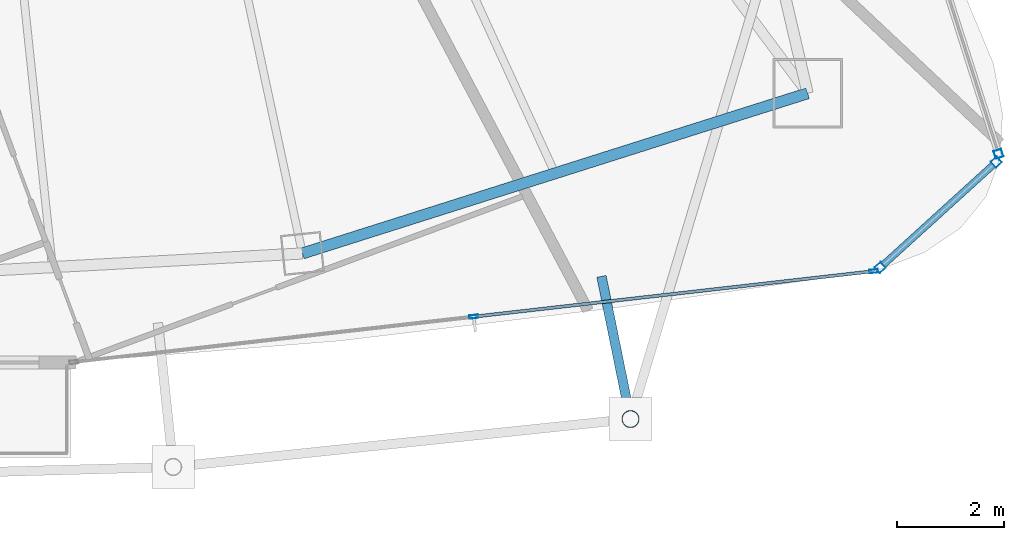
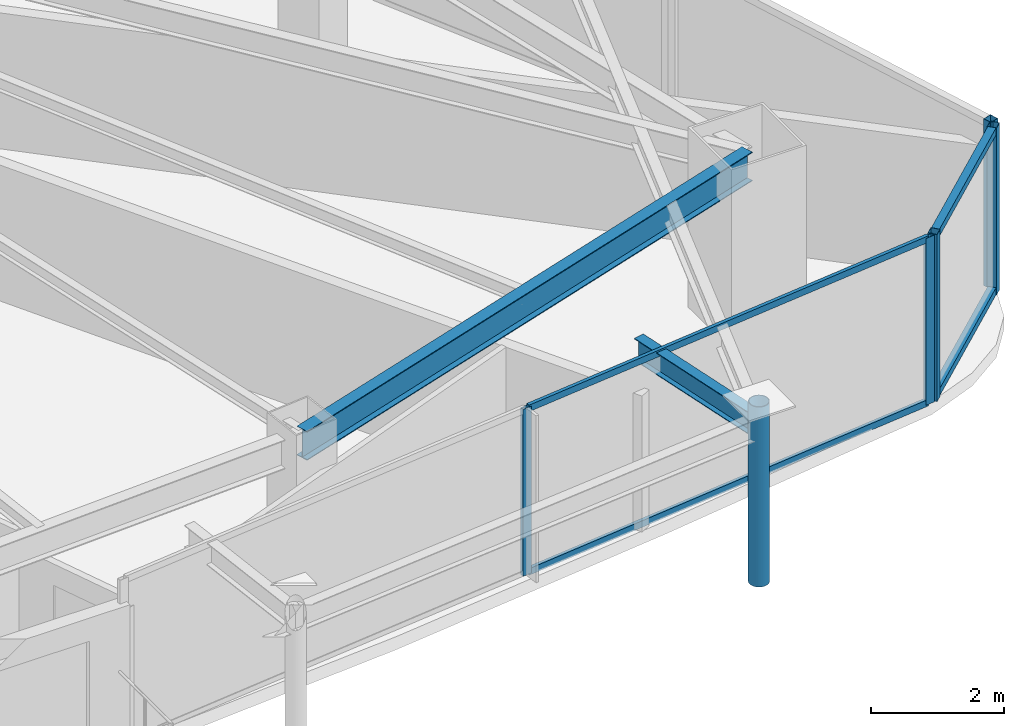
# One storey, part 14 of 29: 10 members, 2 beams, 3 elements without a shape of their own.
"""IFC4 building model written with IfcOpenShell, lengths in metres."""

from ifc_helpers import new_model, si_unit, direction, frame, origin, origin_2d, place, context, subcontext, project, spatial, hollow_rectangle, hollow_circle, i_section, extrude, material, layer, layer_set, material_profile, profile_set, type_object, element, aggregate, save


model = new_model("IFC4")

# Units and contexts
model_context = context("Model", 3, precision=1e-05, world=origin(), true_north=direction((0.0, 1.0)))
body_context = subcontext(model_context, "Body", "Model", "MODEL_VIEW")
ifc_project = project(units=[si_unit("LENGTHUNIT", "METRE"), si_unit("AREAUNIT", "SQUARE_METRE"), si_unit("VOLUMEUNIT", "CUBIC_METRE"), si_unit("PLANEANGLEUNIT", "RADIAN"), si_unit("MASSUNIT", "GRAM", prefix="KILO")], contexts=[model_context])

# Site, building, storey
site_placement = place(None, origin())
site = spatial("IfcSite", under=ifc_project, at=site_placement, CompositionType="ELEMENT")
building_placement = place(site_placement, origin())
building = spatial("IfcBuilding", under=site, at=building_placement, Name="Orvanel Arch Residences", CompositionType="ELEMENT")
storey_placement = place(building_placement, frame((0.0, 0.0, 246.949951171875)))
storey = spatial("IfcBuildingStorey", under=building, at=storey_placement, Name="L70", CompositionType="ELEMENT", Elevation=246.949951171875)

# Curtain wall, members
ifc_material_1 = material(Name="Bronze-anodised aluminium AA6063-T6", Category="aluminium")
ifc_layer_1 = layer(ifc_material_1, 0.18994140625)
ifc_layer_set_1 = layer_set([ifc_layer_1], Name="Bronze-anodised aluminium AA6063-T6")
curtain_wall_type_1 = type_object("IfcCurtainWallType", Name="CW5-CRN-SYS", PredefinedType="NOTDEFINED", material=ifc_layer_set_1)
curtain_wall_1_placement = place(storey_placement, origin())
curtain_wall_1 = element("IfcCurtainWall", 1, at=curtain_wall_1_placement, inside=storey, type_object=curtain_wall_type_1, Name="L70 CW5-CRN-SYS Unitised Curtain Wall", PredefinedType="NOTDEFINED")
ifc_material_profile_1 = material_profile(ifc_material_1, hollow_rectangle(XDim=0.14990234375, YDim=0.14990234375, WallThickness=0.0048828125, at=origin_2d()), Name="ALU150x150x5")
ifc_profile_set_1 = profile_set([ifc_material_profile_1], Name="Bronze-anodised aluminium AA6063-T6")
member_type_1 = type_object("IfcMemberType", Name="MUL-150x150", PredefinedType="MULLION", material=ifc_profile_set_1)
member_1_placement = place(storey_placement, frame((53.159423828125, 7.092529296875, 0.0), z_axis=(0.0, 0.0, 1.0), x_axis=(-0.672382005775, 0.740204322001, 0.0)))
member_1 = element("IfcMember", 2, at=member_1_placement, type_object=member_type_1, Name="CW-S5 mullion 1", PredefinedType="MULLION", context=body_context, shape_type="SweptSolid", body=[
    extrude(hollow_rectangle(XDim=0.14990234375, YDim=0.14990234375, WallThickness=0.0048828125, at=origin_2d()), origin(), (0.0, 0.0, 1.0), 3.06005859375),
])
member_2_placement = place(storey_placement, frame((55.32958984375, 9.0634765625, 0.0), z_axis=(0.0, 0.0, 1.0), x_axis=(-0.672382005775, 0.740204322001, 0.0)))
member_2 = element("IfcMember", 3, at=member_2_placement, type_object=member_type_1, Name="CW-S5 mullion 2", PredefinedType="MULLION", context=body_context, shape_type="SweptSolid", body=[
    extrude(hollow_rectangle(XDim=0.14990234375, YDim=0.14990234375, WallThickness=0.0048828125, at=origin_2d()), origin(), (0.0, 0.0, 1.0), 3.06005859375),
])

# Curtain wall, member
curtain_wall_2_placement = place(storey_placement, origin())
curtain_wall_2 = element("IfcCurtainWall", 4, at=curtain_wall_2_placement, inside=storey, type_object=curtain_wall_type_1, Name="L70 CW5-CRN-SYS Unitised Curtain Wall", PredefinedType="NOTDEFINED")
member_3_placement = place(storey_placement, frame((55.371337890625, 9.217529296875, 0.0), z_axis=(0.0, 0.0, 1.0), x_axis=(-0.952801726678, -0.303593263494, 0.0)))
member_3 = element("IfcMember", 5, at=member_3_placement, type_object=member_type_1, Name="CW-S5 mullion 1", PredefinedType="MULLION", context=body_context, shape_type="SweptSolid", body=[
    extrude(hollow_rectangle(XDim=0.14990234375, YDim=0.14990234375, WallThickness=0.0048828125, at=origin_2d()), origin(), (0.0, 0.0, 1.0), 3.06005859375),
])
aggregate(curtain_wall_2, [member_3])

# Curtain wall, members
ifc_layer_2 = layer(ifc_material_1, 0.175048828125)
ifc_layer_set_2 = layer_set([ifc_layer_2], Name="Bronze-anodised aluminium AA6063-T6")
curtain_wall_type_2 = type_object("IfcCurtainWallType", Name="CW4-HI-SYS", PredefinedType="NOTDEFINED", material=ifc_layer_set_2)
curtain_wall_3_placement = place(storey_placement, origin())
curtain_wall_3 = element("IfcCurtainWall", 6, at=curtain_wall_3_placement, inside=storey, type_object=curtain_wall_type_2, Name="L70 CW4-HI-SYS Unitised Curtain Wall", PredefinedType="NOTDEFINED")
ifc_material_profile_2 = material_profile(ifc_material_1, hollow_rectangle(XDim=0.06494140625, YDim=0.159912109375, WallThickness=0.00390625, at=origin_2d()), Name="ALU160x65x4")
ifc_profile_set_2 = profile_set([ifc_material_profile_2], Name="Bronze-anodised aluminium AA6063-T6")
member_type_2 = type_object("IfcMemberType", Name="MUL-160x65", PredefinedType="MULLION", material=ifc_profile_set_2)
member_4_placement = place(storey_placement, frame((45.555419921875, 6.172607421875, 0.0), z_axis=(0.0, 0.0, 1.0), x_axis=(-0.113000186209, 0.993594966733, 0.0)))
member_4 = element("IfcMember", 7, at=member_4_placement, type_object=member_type_2, Name="CW-S4 mullion 2", PredefinedType="MULLION", context=body_context, shape_type="SweptSolid", body=[
    extrude(hollow_rectangle(XDim=0.06494140625, YDim=0.159912109375, WallThickness=0.00390625, at=origin_2d()), origin(), (0.0, 0.0, 1.0), 3.06005859375),
])
member_5_placement = place(storey_placement, frame((53.03662109375, 7.0234375, 0.0), z_axis=(0.0, 0.0, 1.0), x_axis=(-0.113000186209, 0.993594966733, 0.0)))
member_5 = element("IfcMember", 8, at=member_5_placement, type_object=member_type_2, Name="CW-S4 mullion 3", PredefinedType="MULLION", context=body_context, shape_type="SweptSolid", body=[
    extrude(hollow_rectangle(XDim=0.06494140625, YDim=0.159912109375, WallThickness=0.00390625, at=origin_2d()), origin(), (0.0, 0.0, 1.0), 3.06005859375),
])

# Beams
ifc_material_2 = material(Name="Structural steel AS/NZS 3679.1 Grade 300 (300 MPa)", Category="steel")
ifc_material_profile_3 = material_profile(ifc_material_2, i_section(OverallWidth=0.177978515625, OverallDepth=0.406005859375, WebThickness=0.0078125, FlangeThickness=0.0126953125, at=origin_2d()), Name="410UB59.7")
ifc_profile_set_3 = profile_set([ifc_material_profile_3], Name="Structural steel AS/NZS 3679.1 Grade 300 (300 MPa)")
beam_type_1 = type_object("IfcBeamType", Name="OB-410UB-EXT", PredefinedType="SPANDREL", material=ifc_profile_set_3)
beam_1_placement = place(storey_placement, frame((47.945068359375, 6.927001953125, 2.85693359375), z_axis=(0.199355837583, -0.979927165672, 0.0), x_axis=(0.979927165672, 0.199355837583, 0.0)))
element("IfcBeam", 9, at=beam_1_placement, inside=storey, type_object=beam_type_1, Name="L70 Outer Frame Radial Tie Beam 08", PredefinedType="SPANDREL", context=body_context, shape_type="SweptSolid", body=[
    extrude(i_section(OverallWidth=0.177978515625, OverallDepth=0.406005859375, WebThickness=0.0078125, FlangeThickness=0.0126953125, at=origin_2d()), origin(), (0.0, 0.0, 1.0), 2.7236328125),
])
ifc_material_profile_4 = material_profile(ifc_material_2, i_section(OverallWidth=0.208984375, OverallDepth=0.532958984375, WebThickness=0.01025390625, FlangeThickness=0.015625, at=origin_2d()), Name="530UB92.4")
ifc_profile_set_4 = profile_set([ifc_material_profile_4], Name="Structural steel AS/NZS 3679.1 Grade 300 (300 MPa)")
beam_type_2 = type_object("IfcBeamType", Name="SP-530UB", PredefinedType="SPANDREL", material=ifc_profile_set_4)
beam_2_placement = place(storey_placement, frame((42.35107421875, 7.35498046875, 2.79296875), z_axis=(0.953237386592, 0.302222574941, 0.0), x_axis=(-0.302222574941, 0.953237386592, 0.0)))
element("IfcBeam", 10, at=beam_2_placement, inside=storey, type_object=beam_type_2, Name="L70 Perimeter Spandrel Beam 05", PredefinedType="SPANDREL", context=body_context, shape_type="SweptSolid", body=[
    extrude(i_section(OverallWidth=0.208984375, OverallDepth=0.532958984375, WebThickness=0.01025390625, FlangeThickness=0.015625, at=origin_2d()), origin(), (0.0, 0.0, 1.0), 9.91357421875),
])

# Member
ifc_material_3 = material(Name="Structural steel AS/NZS 1163 C350L0 (Grade 350)", Category="steel")
ifc_material_profile_5 = material_profile(ifc_material_3, hollow_circle(Radius=0.162109375, WallThickness=0.0126953125, at=origin_2d()), Name="CHS324x12.7")
ifc_profile_set_5 = profile_set([ifc_material_profile_5], Name="Structural steel AS/NZS 1163 C350L0 (Grade 350)")
member_type_3 = type_object("IfcMemberType", Name="ST-324CHS-EXT", PredefinedType="STRUT", material=ifc_profile_set_5)
member_6_placement = place(storey_placement, frame((48.488037109375, 4.258056640625, 0.0), z_axis=(0.0, 0.0, 1.0), x_axis=(1.0, 0.0, 0.0)))
element("IfcMember", 11, at=member_6_placement, inside=storey, type_object=member_type_3, Name="L70 Outer Perimeter Frame Post 08", PredefinedType="STRUT", context=body_context, shape_type="SweptSolid", body=[
    extrude(hollow_circle(Radius=0.162109375, WallThickness=0.0126953125, at=origin_2d()), origin(), (0.0, 0.0, 1.0), 3.300048828125),
])

ifc_material_profile_6 = material_profile(ifc_material_1, hollow_rectangle(XDim=0.06005859375, YDim=0.1201171875, WallThickness=0.00341796875, at=origin_2d()), Name="ALU120x60x3.5")
ifc_profile_set_6 = profile_set([ifc_material_profile_6], Name="Bronze-anodised aluminium AA6063-T6")
member_type_4 = type_object("IfcMemberType", Name="TRN-120x60", PredefinedType="USERDEFINED", material=ifc_profile_set_6)
member_7_placement = place(storey_placement, frame((45.587890625, 6.17626953125, 0.030029296875), z_axis=(0.993594408801, 0.113005091922, 0.0), x_axis=(-0.113005091922, 0.993594408801, 0.0)))
member_7 = element("IfcMember", 12, at=member_7_placement, type_object=member_type_4, Name="CW-S4 transom 2.1", ObjectType="TRANSOM", PredefinedType="USERDEFINED", context=body_context, shape_type="SweptSolid", body=[
    extrude(hollow_rectangle(XDim=0.06005859375, YDim=0.1201171875, WallThickness=0.00341796875, at=origin_2d()), origin(), (0.0, 0.0, 1.0), 7.46435546875),
])

member_8_placement = place(storey_placement, frame((45.587890625, 6.17626953125, 3.030029296875), z_axis=(0.993594408801, 0.113005091922, 0.0), x_axis=(-0.113005091922, 0.993594408801, 0.0)))
member_8 = element("IfcMember", 13, at=member_8_placement, type_object=member_type_4, Name="CW-S4 transom 2.2", ObjectType="TRANSOM", PredefinedType="USERDEFINED", context=body_context, shape_type="SweptSolid", body=[
    extrude(hollow_rectangle(XDim=0.06005859375, YDim=0.1201171875, WallThickness=0.00341796875, at=origin_2d()), origin(), (0.0, 0.0, 1.0), 7.46435546875),
])

aggregate(curtain_wall_3, [member_4, member_5, member_7, member_8])

ifc_material_profile_7 = material_profile(ifc_material_1, hollow_rectangle(XDim=0.1298828125, YDim=0.1298828125, WallThickness=0.00439453125, at=origin_2d()), Name="ALU130x130x4.5")
ifc_profile_set_7 = profile_set([ifc_material_profile_7], Name="Bronze-anodised aluminium AA6063-T6")
member_type_5 = type_object("IfcMemberType", Name="TRN-130x130", PredefinedType="USERDEFINED", material=ifc_profile_set_7)
member_9_placement = place(storey_placement, frame((53.215087890625, 7.142822265625, 0.06494140625), z_axis=(0.740174349749, 0.672414999813, 0.0), x_axis=(-0.672414999813, 0.740174349749, 0.0)))
member_9 = element("IfcMember", 14, at=member_9_placement, type_object=member_type_5, Name="CW-S5 transom 1.1", ObjectType="TRANSOM", PredefinedType="USERDEFINED", context=body_context, shape_type="SweptSolid", body=[
    extrude(hollow_rectangle(XDim=0.1298828125, YDim=0.1298828125, WallThickness=0.00439453125, at=origin_2d()), origin(), (0.0, 0.0, 1.0), 2.781494140625),
])

member_10_placement = place(storey_placement, frame((53.215087890625, 7.142822265625, 2.9951171875), z_axis=(0.740174349749, 0.672414999813, 0.0), x_axis=(-0.672414999813, 0.740174349749, 0.0)))
member_10 = element("IfcMember", 15, at=member_10_placement, type_object=member_type_5, Name="CW-S5 transom 1.2", ObjectType="TRANSOM", PredefinedType="USERDEFINED", context=body_context, shape_type="SweptSolid", body=[
    extrude(hollow_rectangle(XDim=0.1298828125, YDim=0.1298828125, WallThickness=0.00439453125, at=origin_2d()), origin(), (0.0, 0.0, 1.0), 2.781494140625),
])

aggregate(curtain_wall_1, [member_1, member_2, member_9, member_10])

save(model, "model.ifc")
